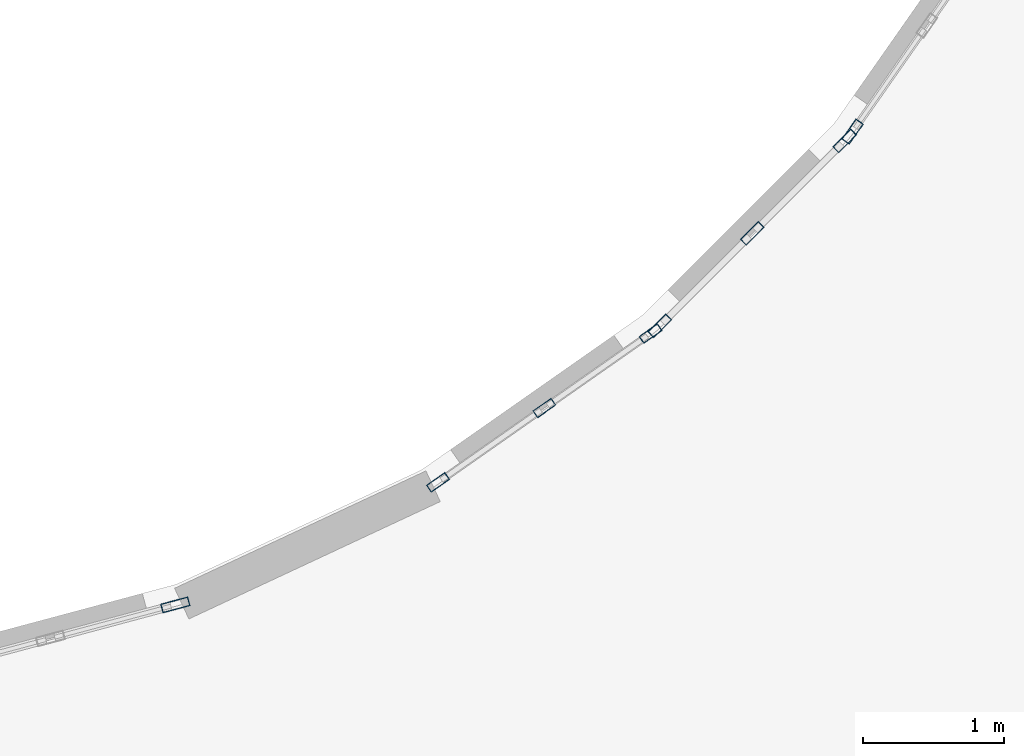
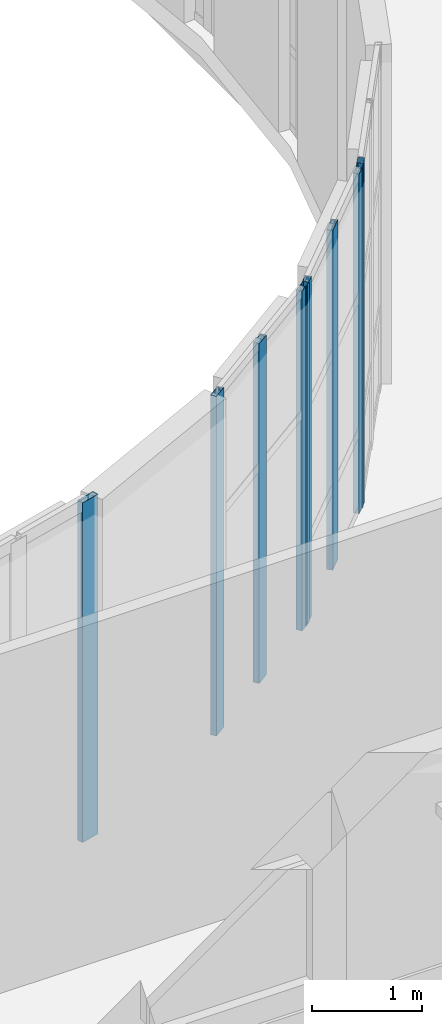
# One storey, part 25 of 92: 8 members, 4 elements without a shape of their own.
"""IFC4 building model written with IfcOpenShell, lengths in metres."""

from ifc_helpers import new_model, si_unit, direction, frame, origin, origin_2d, place, context, subcontext, project, spatial, hollow_rectangle, extrude, material, layer, layer_set, material_profile, profile_set, type_object, element, aggregate, save


model = new_model("IFC4")

# Units and contexts
model_context = context("Model", 3, precision=1e-05, world=origin(), true_north=direction((0.0, 1.0)))
body_context = subcontext(model_context, "Body", "Model", "MODEL_VIEW")
ifc_project = project(units=[si_unit("LENGTHUNIT", "METRE"), si_unit("AREAUNIT", "SQUARE_METRE"), si_unit("VOLUMEUNIT", "CUBIC_METRE"), si_unit("PLANEANGLEUNIT", "RADIAN"), si_unit("MASSUNIT", "GRAM", prefix="KILO")], contexts=[model_context])

# Site, building, storey
site_placement = place(None, origin())
site = spatial("IfcSite", under=ifc_project, at=site_placement, CompositionType="ELEMENT")
building_placement = place(site_placement, origin())
building = spatial("IfcBuilding", under=site, at=building_placement, Name="Kelanivale Promenade Academy", CompositionType="ELEMENT")
storey_placement = place(building_placement, frame((0.0, 0.0, 8.199951171875)))
storey = spatial("IfcBuildingStorey", under=building, at=storey_placement, Name="L02", CompositionType="ELEMENT", Elevation=8.199951171875)

# Curtain wall, members
ifc_material_1 = material(Name="Bronze anodised aluminium and solar-control low-E glass", Category="aluminium")
ifc_layer_1 = layer(ifc_material_1, 0.179931640625)
ifc_layer_set_1 = layer_set([ifc_layer_1], Name="Bronze anodised aluminium and solar-control low-E glass")
curtain_wall_type_1 = type_object("IfcCurtainWallType", Name="CW-05 Curtain Wall 1950mm Module", PredefinedType="USERDEFINED", material=ifc_layer_set_1)
curtain_wall_1_placement = place(storey_placement, origin())
curtain_wall_1 = element("IfcCurtainWall", 1, at=curtain_wall_1_placement, inside=storey, type_object=curtain_wall_type_1, Name="L02 courtyard curtain wall CW-05", ObjectType="UNITISED GLAZING", PredefinedType="USERDEFINED")
ifc_material_2 = material(Name="Bronze anodised aluminium EN AW-6063 T6", Category="aluminium")
ifc_material_profile_1 = material_profile(ifc_material_2, hollow_rectangle(XDim=0.06005859375, YDim=0.159912109375, WallThickness=0.00390625, at=origin_2d()), Name="ALU 60x160x4.0")
ifc_profile_set_1 = profile_set([ifc_material_profile_1], Name="Bronze anodised aluminium EN AW-6063 T6")
member_type_1 = type_object("IfcMemberType", Name="CWM-01 ALU 60x160x4.0", PredefinedType="MULLION", material=ifc_profile_set_1)
member_1_placement = place(storey_placement, frame((69.0166015625, 47.185302734375, 0.0), z_axis=(0.0, 0.0, 1.0), x_axis=(-0.573356527561, 0.819305982099, 0.0)))
member_1 = element("IfcMember", 2, at=member_1_placement, type_object=member_type_1, Name="CW-05 mullion 1", PredefinedType="MULLION", context=body_context, shape_type="SweptSolid", body=[
    extrude(hollow_rectangle(XDim=0.06005859375, YDim=0.159912109375, WallThickness=0.00390625, at=origin_2d()), origin(), (0.0, 0.0, 1.0), 3.780029296875),
])
member_2_placement = place(storey_placement, frame((69.771484375, 47.71337890625, 0.0), z_axis=(0.0, 0.0, 1.0), x_axis=(-0.573356527561, 0.819305982099, 0.0)))
member_2 = element("IfcMember", 3, at=member_2_placement, type_object=member_type_1, Name="CW-05 mullion 2", PredefinedType="MULLION", context=body_context, shape_type="SweptSolid", body=[
    extrude(hollow_rectangle(XDim=0.06005859375, YDim=0.159912109375, WallThickness=0.00390625, at=origin_2d()), origin(), (0.0, 0.0, 1.0), 3.780029296875),
])
member_3_placement = place(storey_placement, frame((70.5263671875, 48.24169921875, 0.0), z_axis=(0.0, 0.0, 1.0), x_axis=(-0.573356527561, 0.819305982099, 0.0)))
member_3 = element("IfcMember", 4, at=member_3_placement, type_object=member_type_1, Name="CW-05 mullion 3", PredefinedType="MULLION", context=body_context, shape_type="SweptSolid", body=[
    extrude(hollow_rectangle(XDim=0.06005859375, YDim=0.159912109375, WallThickness=0.00390625, at=origin_2d()), origin(), (0.0, 0.0, 1.0), 3.780029296875),
])
aggregate(curtain_wall_1, [member_1, member_2, member_3])

ifc_layer_2 = layer(ifc_material_1, 0.159912109375)
ifc_layer_set_2 = layer_set([ifc_layer_2], Name="Bronze anodised aluminium and solar-control low-E glass")
curtain_wall_type_2 = type_object("IfcCurtainWallType", Name="CW-06 Curtain Wall 1200mm Module", PredefinedType="USERDEFINED", material=ifc_layer_set_2)
curtain_wall_2_placement = place(storey_placement, origin())
curtain_wall_2 = element("IfcCurtainWall", 5, at=curtain_wall_2_placement, inside=storey, type_object=curtain_wall_type_2, Name="L02 courtyard curtain wall CW-06", ObjectType="UNITISED GLAZING", PredefinedType="USERDEFINED")
ifc_material_profile_2 = material_profile(ifc_material_2, hollow_rectangle(XDim=0.06005859375, YDim=0.179931640625, WallThickness=0.00390625, at=origin_2d()), Name="ALU 60x180x4.0")
ifc_profile_set_2 = profile_set([ifc_material_profile_2], Name="Bronze anodised aluminium EN AW-6063 T6")
member_type_2 = type_object("IfcMemberType", Name="CWM-02 ALU 60x180x4.0", PredefinedType="MULLION", material=ifc_profile_set_2)
member_4_placement = place(storey_placement, frame((70.59130859375, 48.296142578125, 0.0), z_axis=(0.0, 0.0, 1.0), x_axis=(-0.707106781187, 0.707106781187, 0.0)))
member_4 = element("IfcMember", 6, at=member_4_placement, type_object=member_type_2, Name="CW-06 mullion 1", PredefinedType="MULLION", context=body_context, shape_type="SweptSolid", body=[
    extrude(hollow_rectangle(XDim=0.06005859375, YDim=0.179931640625, WallThickness=0.00390625, at=origin_2d()), origin(), (0.0, 0.0, 1.0), 3.780029296875),
])
member_5_placement = place(storey_placement, frame((71.24755859375, 48.952392578125, 0.0), z_axis=(0.0, 0.0, 1.0), x_axis=(-0.707106781187, 0.707106781187, 0.0)))
member_5 = element("IfcMember", 7, at=member_5_placement, type_object=member_type_2, Name="CW-06 mullion 2", PredefinedType="MULLION", context=body_context, shape_type="SweptSolid", body=[
    extrude(hollow_rectangle(XDim=0.06005859375, YDim=0.179931640625, WallThickness=0.00390625, at=origin_2d()), origin(), (0.0, 0.0, 1.0), 3.780029296875),
])
member_6_placement = place(storey_placement, frame((71.90380859375, 49.60888671875, 0.0), z_axis=(0.0, 0.0, 1.0), x_axis=(-0.707106781187, 0.707106781187, 0.0)))
member_6 = element("IfcMember", 8, at=member_6_placement, type_object=member_type_2, Name="CW-06 mullion 3", PredefinedType="MULLION", context=body_context, shape_type="SweptSolid", body=[
    extrude(hollow_rectangle(XDim=0.06005859375, YDim=0.179931640625, WallThickness=0.00390625, at=origin_2d()), origin(), (0.0, 0.0, 1.0), 3.780029296875),
])
aggregate(curtain_wall_2, [member_4, member_5, member_6])

# Curtain wall, member
ifc_layer_3 = layer(ifc_material_1, 0.169921875)
ifc_layer_set_3 = layer_set([ifc_layer_3], Name="Bronze anodised aluminium and solar-control low-E glass")
curtain_wall_type_3 = type_object("IfcCurtainWallType", Name="CW-07 Curtain Wall 1350mm Module", PredefinedType="USERDEFINED", material=ifc_layer_set_3)
curtain_wall_3_placement = place(storey_placement, origin())
curtain_wall_3 = element("IfcCurtainWall", 9, at=curtain_wall_3_placement, inside=storey, type_object=curtain_wall_type_3, Name="L02 courtyard curtain wall CW-07", ObjectType="UNITISED GLAZING", PredefinedType="USERDEFINED")
ifc_material_profile_3 = material_profile(ifc_material_2, hollow_rectangle(XDim=0.06494140625, YDim=0.175048828125, WallThickness=0.00390625, at=origin_2d()), Name="ALU 65x175x4.0")
ifc_profile_set_3 = profile_set([ifc_material_profile_3], Name="Bronze anodised aluminium EN AW-6063 T6")
member_type_3 = type_object("IfcMemberType", Name="CWM-03 ALU 65x175x4.0", PredefinedType="MULLION", material=ifc_profile_set_3)
member_7_placement = place(storey_placement, frame((71.959716796875, 49.675537109375, 0.0), z_axis=(0.0, 0.0, 1.0), x_axis=(-0.819305982099, 0.573356527561, 0.0)))
member_7 = element("IfcMember", 10, at=member_7_placement, type_object=member_type_3, Name="CW-07 mullion 1", PredefinedType="MULLION", context=body_context, shape_type="SweptSolid", body=[
    extrude(hollow_rectangle(XDim=0.06494140625, YDim=0.175048828125, WallThickness=0.00390625, at=origin_2d()), origin(), (0.0, 0.0, 1.0), 3.780029296875),
])
aggregate(curtain_wall_3, [member_7])

ifc_layer_4 = layer(ifc_material_1, 0.169921875)
ifc_layer_set_4 = layer_set([ifc_layer_4], Name="Bronze anodised aluminium and solar-control low-E glass")
curtain_wall_type_4 = type_object("IfcCurtainWallType", Name="CW-04 Curtain Wall 1800mm Module", PredefinedType="USERDEFINED", material=ifc_layer_set_4)
curtain_wall_4_placement = place(storey_placement, origin())
curtain_wall_4 = element("IfcCurtainWall", 11, at=curtain_wall_4_placement, inside=storey, type_object=curtain_wall_type_4, Name="L02 courtyard curtain wall CW-04", ObjectType="UNITISED GLAZING", PredefinedType="USERDEFINED")
ifc_material_profile_4 = material_profile(ifc_material_2, hollow_rectangle(XDim=0.06494140625, YDim=0.199951171875, WallThickness=0.00439453125, at=origin_2d()), Name="ALU 65x200x4.5")
ifc_profile_set_4 = profile_set([ifc_material_profile_4], Name="Bronze anodised aluminium EN AW-6063 T6")
member_type_4 = type_object("IfcMemberType", Name="CWM-04 ALU 65x200x4.5", PredefinedType="MULLION", material=ifc_profile_set_4)
member_8_placement = place(storey_placement, frame((67.152587890625, 46.315673828125, 0.0), z_axis=(0.0, 0.0, 1.0), x_axis=(-0.258578458902, 0.965990259056, 0.0)))
member_8 = element("IfcMember", 12, at=member_8_placement, type_object=member_type_4, Name="CW-04 mullion 3", PredefinedType="MULLION", context=body_context, shape_type="SweptSolid", body=[
    extrude(hollow_rectangle(XDim=0.06494140625, YDim=0.199951171875, WallThickness=0.00439453125, at=origin_2d()), origin(), (0.0, 0.0, 1.0), 3.780029296875),
])
aggregate(curtain_wall_4, [member_8])

save(model, "model.ifc")
